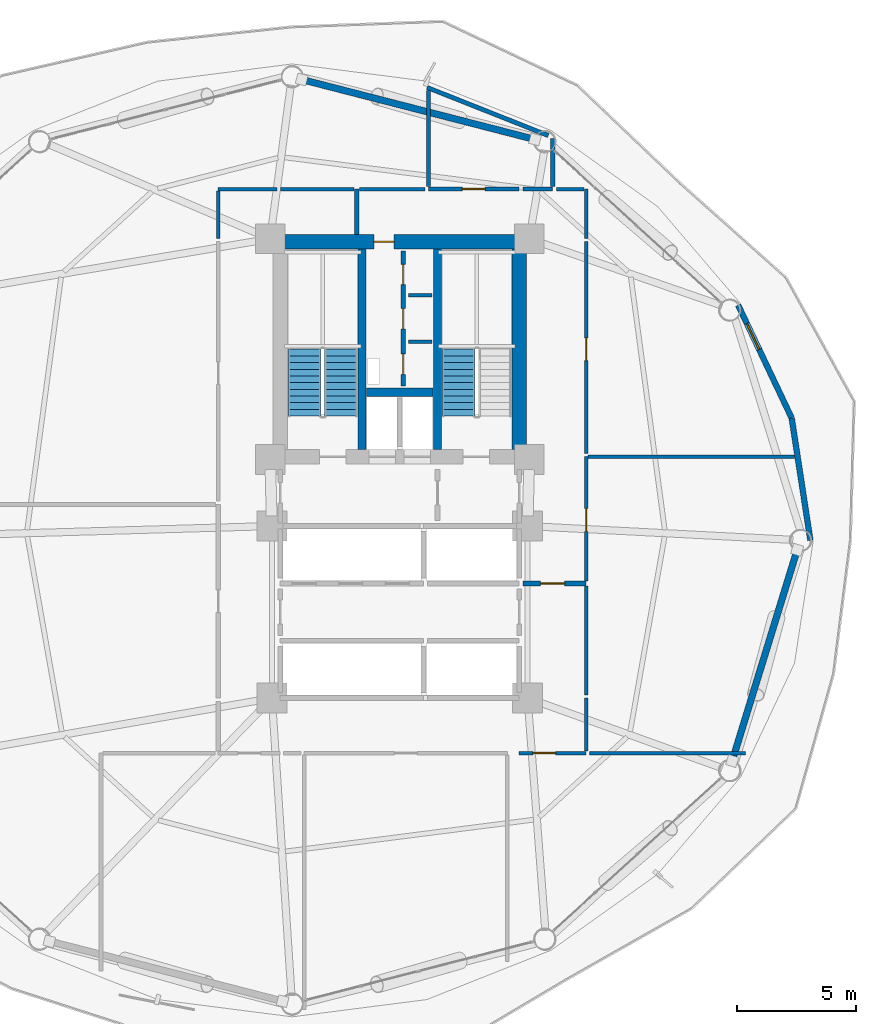
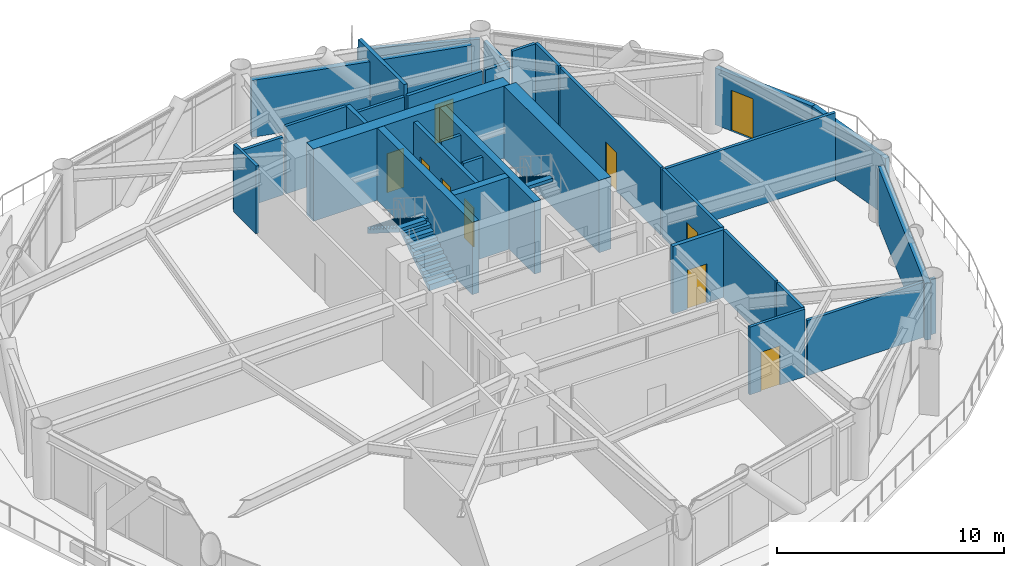
# One storey, part 21 of 25: 32 walls, 10 doors, 3 stair flights, 10 openings, 2 elements without a shape of their own.
"""IFC4 building model written with IfcOpenShell, lengths in metres."""

from ifc_helpers import new_model, si_unit, direction, frame, frame_2d, origin, place, context, subcontext, project, spatial, polyline, rectangle, outline, extrude, material, layer, layer_set, type_object, element, fill, aggregate, save


model = new_model("IFC4")

# Units and contexts
model_context = context("Model", 3, precision=1e-05, world=origin(), true_north=direction((0.0, 1.0)))
body_context = subcontext(model_context, "Body", "Model", "MODEL_VIEW")
ifc_project = project(units=[si_unit("LENGTHUNIT", "METRE"), si_unit("AREAUNIT", "SQUARE_METRE"), si_unit("VOLUMEUNIT", "CUBIC_METRE"), si_unit("PLANEANGLEUNIT", "RADIAN"), si_unit("MASSUNIT", "GRAM", prefix="KILO")], contexts=[model_context])

# Site, building, storey
site_placement = place(None, origin())
site = spatial("IfcSite", under=ifc_project, at=site_placement, CompositionType="ELEMENT")
building_placement = place(site_placement, origin())
building = spatial("IfcBuilding", under=site, at=building_placement, Name="Varnakorn Sky Granary", CompositionType="ELEMENT")
storey_placement = place(building_placement, frame((0.0, 0.0, 54.89990234375)))
storey = spatial("IfcBuildingStorey", under=building, at=storey_placement, Name="L13", CompositionType="ELEMENT", Elevation=54.89990234375)

# Walls
ifc_material_1 = material(Name="Concrete C50/60", Category="concrete")
ifc_layer_1 = layer(ifc_material_1, 0.35009765625, Name="Concrete C50/60")
ifc_layer_set_1 = layer_set([ifc_layer_1], Name="Concrete C50/60")
wall_type_1 = type_object("IfcWallType", Name="WT-CW-INT-350", PredefinedType="SHEAR", material=ifc_layer_set_1)
for number, where, z_axis, x_axis, name in (
    (1, (1.419921875, 3.81005859375, 0.0), (0.0, 0.0, 1.0), (0.0, 1.0, 0.0), "Stair ST-1 Core Wall L13"),
    (2, (4.580078125, 3.81005859375, 0.0), (0.0, 0.0, 1.0), (0.0, 1.0, 0.0), "Stair ST-2 Core Wall L13"),
):
    element("IfcWall", number, at=place(storey_placement, frame(where, z_axis=z_axis, x_axis=x_axis)), inside=storey, type_object=wall_type_1, Name=name, PredefinedType="SHEAR", context=body_context, shape_type="SweptSolid", body=[
        extrude(rectangle(XDim=8.3798828125, YDim=0.35009765625, at=frame_2d((4.18994140625, 0.0))), origin(), (0.0, 0.0, 1.0), 3.89208984375),
    ])
wall_1_placement = place(storey_placement, frame((1.610107421875, 6.199951171875, 0.0), z_axis=(0.0, 0.0, 1.0), x_axis=(1.0, 0.0, 0.0)))
element("IfcWall", 3, at=wall_1_placement, inside=storey, type_object=wall_type_1, Name="Core Lift Shaft Cross Wall L13", PredefinedType="SHEAR", context=body_context, shape_type="SweptSolid", body=[
    extrude(rectangle(XDim=2.77978515625, YDim=0.35009765625, at=frame_2d((1.389892578125, 0.0))), origin(), (0.0, 0.0, 1.0), 3.89208984375),
])

# Wall, opening, door
ifc_material_2 = material(Name="Concrete C60/75", Category="concrete")
ifc_layer_2 = layer(ifc_material_2, 0.60009765625, Name="Concrete C60/75")
ifc_layer_set_2 = layer_set([ifc_layer_2], Name="Concrete C60/75")
wall_type_2 = type_object("IfcWallType", Name="WT-CW-SHEAR-600", PredefinedType="SHEAR", material=ifc_layer_set_2)
wall_2_placement = place(storey_placement, frame((-2.0, 12.5, 0.0), z_axis=(0.0, 0.0, 1.0), x_axis=(1.0, 0.0, 0.0)))
wall_2 = element("IfcWall", 4, at=wall_2_placement, inside=storey, type_object=wall_type_2, Name="Core North Shear Wall L13", PredefinedType="SHEAR", context=body_context, shape_type="SweptSolid", body=[
    extrude(rectangle(XDim=10.0, YDim=0.60009765625, at=frame_2d((5.0, 0.0))), origin(), (0.0, 0.0, 1.0), 3.89208984375),
])
opening_1_placement = place(wall_2_placement, frame((3.919921875, 0.0, 0.0)))
opening_1 = element("IfcOpeningElement", 5, at=opening_1_placement, cuts=wall_2, Name="Opening FD-60N", PredefinedType="OPENING", context=body_context, shape_type="SweptSolid", body=[
    extrude(rectangle(XDim=0.85009765625, YDim=2.10009765625, at=frame_2d((0.425048828125, 1.050048828125))), frame((0.0, 0.31005859375, 0.0), z_axis=(0.0, -1.0, 0.0), x_axis=(1.0, 0.0, 0.0)), (0.0, 0.0, 1.0), 0.6201171875),
])
ifc_material_3 = material(Name="Acoustic Timber Fire Leaf", Category="wood")
door_type_1 = type_object("IfcDoorType", Name="DR-FD60-850", OperationType="NOTDEFINED", PredefinedType="DOOR", material=ifc_material_3)
door_1_placement = place(opening_1_placement, origin())
door_1 = element("IfcDoor", 6, at=door_1_placement, inside=storey, type_object=door_type_1, Name="Core North Service Door L13", OperationType="SINGLE_SWING_LEFT", OverallHeight=2.10009765625, OverallWidth=0.85009765625, PredefinedType="DOOR", context=body_context, shape_type="SweptSolid", body=[
    extrude(rectangle(XDim=0.85009765625, YDim=2.10009765625, at=frame_2d((0.425048828125, 1.050048828125))), frame((0.0, 0.02490234375, 0.0), z_axis=(0.0, -1.0, 0.0), x_axis=(1.0, 0.0, 0.0)), (0.0, 0.0, 1.0), 0.050048828125),
])
fill(opening_1, door_1)

# Walls
wall_3_placement = place(storey_placement, frame((8.0, 3.81005859375, 0.0), z_axis=(0.0, 0.0, 1.0), x_axis=(0.0, 1.0, 0.0)))
element("IfcWall", 7, at=wall_3_placement, inside=storey, type_object=wall_type_2, Name="Core East Shear Wall L13", PredefinedType="SHEAR", context=body_context, shape_type="SweptSolid", body=[
    extrude(rectangle(XDim=8.3798828125, YDim=0.60009765625, at=frame_2d((4.18994140625, 0.0))), origin(), (0.0, 0.0, 1.0), 3.89208984375),
])
ifc_material_4 = material(Name="Precast concrete C40/50", Category="concrete")
ifc_layer_3 = layer(ifc_material_4, 0.239990234375, Name="Precast concrete C40/50")
ifc_layer_set_3 = layer_set([ifc_layer_3], Name="Precast concrete C40/50")
wall_type_3 = type_object("IfcWallType", Name="WT-EW-BAL-260", PredefinedType="SOLIDWALL", material=ifc_layer_set_3)
wall_4_placement = place(storey_placement, frame((19.401611328125, 5.117431640625, 0.0), z_axis=(0.0, 0.0, 1.0), x_axis=(0.151146367865, -0.988511393703, 0.0)))
element("IfcWall", 8, at=wall_4_placement, inside=storey, type_object=wall_type_3, Name="Balcony Threshold Facade Wall L13-B01A", PredefinedType="SOLIDWALL", context=body_context, shape_type="SweptSolid", body=[
    extrude(rectangle(XDim=5.177001953125, YDim=0.239990234375, at=frame_2d((2.58837890625, 0.0))), origin(), (0.0, 0.0, 1.0), 3.06005859375),
])

# Wall, opening, door
wall_5_placement = place(storey_placement, frame((17.162109375, 9.841064453125, 0.0), z_axis=(0.0, 0.0, 1.0), x_axis=(0.428397489961, -0.903590388724, 0.0)))
wall_5 = element("IfcWall", 9, at=wall_5_placement, inside=storey, type_object=wall_type_3, Name="Balcony Return Facade Wall L13-B01B", PredefinedType="SOLIDWALL", context=body_context, shape_type="SweptSolid", body=[
    extrude(rectangle(XDim=5.2275390625, YDim=0.239990234375, at=frame_2d((2.61376953125, 0.0))), origin(), (0.0, 0.0, 1.0), 3.06005859375),
])
opening_2_placement = place(wall_5_placement, frame((0.85009765625, 0.0, 0.0)))
opening_2 = element("IfcOpeningElement", 10, at=opening_2_placement, cuts=wall_5, Name="Opening BD-01", PredefinedType="OPENING", context=body_context, shape_type="SweptSolid", body=[
    extrude(rectangle(XDim=1.199951171875, YDim=2.199951171875, at=frame_2d((0.60009765625, 1.10009765625))), frame((0.0, 0.1298828125, 0.0), z_axis=(0.0, -1.0, 0.0), x_axis=(1.0, 0.0, 0.0)), (0.0, 0.0, 1.0), 0.260009765625),
])
ifc_material_5 = material(Name="Anodised Bronze Aluminium Alloy 6063-T6", Category="aluminium")
door_type_2 = type_object("IfcDoorType", Name="DR-BAL-1200", OperationType="NOTDEFINED", PredefinedType="DOOR", material=ifc_material_5)
door_2_placement = place(opening_2_placement, origin())
door_2 = element("IfcDoor", 11, at=door_2_placement, inside=storey, type_object=door_type_2, Name="Sky-Farm Balcony Access Door L13", OperationType="SINGLE_SWING_LEFT", OverallHeight=2.199951171875, OverallWidth=1.199951171875, PredefinedType="DOOR", context=body_context, shape_type="SweptSolid", body=[
    extrude(rectangle(XDim=1.199951171875, YDim=2.199951171875, at=frame_2d((0.60009765625, 1.10009765625))), frame((0.0, 0.02490234375, 0.0), z_axis=(0.0, -1.0, 0.0), x_axis=(1.0, 0.0, 0.0)), (0.0, 0.0, 1.0), 0.050048828125),
])
fill(opening_2, door_2)

# Walls
ifc_layer_4 = layer(ifc_material_4, 0.280029296875, Name="Precast concrete C40/50")
ifc_layer_set_4 = layer_set([ifc_layer_4], Name="Precast concrete C40/50")
wall_type_4 = type_object("IfcWallType", Name="WT-EW-CRN-280", PredefinedType="SOLIDWALL", material=ifc_layer_set_4)
wall_6_placement = place(storey_placement, frame((-1.10107421875, 19.284423828125, 0.0), z_axis=(0.0, 0.0, 1.0), x_axis=(0.968518300778, -0.248942364932, 0.0)))
element("IfcWall", 12, at=wall_6_placement, inside=storey, type_object=wall_type_4, Name="Agritech Insulated Precast Facade Wall L13-P03", PredefinedType="SOLIDWALL", context=body_context, shape_type="SweptSolid", body=[
    extrude(rectangle(XDim=10.078857421875, YDim=0.280029296875, at=frame_2d((5.03955078125, 0.0))), origin(), (0.0, 0.0, 1.0), 3.06005859375),
])
wall_7_placement = place(storey_placement, frame((19.6328125, -0.393798828125, 0.0), z_axis=(0.0, 0.0, 1.0), x_axis=(-0.294325145178, -0.955705346284, 0.0)))
element("IfcWall", 13, at=wall_7_placement, inside=storey, type_object=wall_type_4, Name="Agritech Insulated Precast Facade Wall L13-P12", PredefinedType="SOLIDWALL", context=body_context, shape_type="SweptSolid", body=[
    extrude(rectangle(XDim=9.248046875, YDim=0.280029296875, at=frame_2d((4.6240234375, 0.0))), origin(), (0.0, 0.0, 1.0), 3.06005859375),
])

# Wall, openings, doors
ifc_material_6 = material(Name="Autoclaved Aerated Concrete Blockwork", Category="masonry")
ifc_layer_5 = layer(ifc_material_6, 0.199951171875, Name="Autoclaved Aerated Concrete Blockwork")
ifc_layer_set_5 = layer_set([ifc_layer_5], Name="Autoclaved Aerated Concrete Blockwork")
wall_type_5 = type_object("IfcWallType", Name="WT-FIRE-200", PredefinedType="MOVABLE", material=ifc_layer_set_5)
wall_8_placement = place(storey_placement, frame((3.14990234375, 6.449951171875, 0.0), z_axis=(0.0, 0.0, 1.0), x_axis=(0.0, 1.0, 0.0)))
wall_8 = element("IfcWall", 14, at=wall_8_placement, inside=storey, type_object=wall_type_5, Name="Interior Partition Wall L13-015", PredefinedType="MOVABLE", context=body_context, shape_type="SweptSolid", body=[
    extrude(rectangle(XDim=5.650146484375, YDim=0.199951171875, at=frame_2d((2.8251953125, 0.0))), origin(), (0.0, 0.0, 1.0), 3.64013671875),
])
opening_3_placement = place(wall_8_placement, frame((0.5, 0.0, 0.0)))
opening_3 = element("IfcOpeningElement", 15, at=opening_3_placement, cuts=wall_8, Name="Opening FD-60N", PredefinedType="OPENING", context=body_context, shape_type="SweptSolid", body=[
    extrude(rectangle(XDim=0.85009765625, YDim=2.10009765625, at=frame_2d((0.425048828125, 1.050048828125))), frame((0.0, 0.10986328125, 0.0), z_axis=(0.0, -1.0, 0.0), x_axis=(1.0, 0.0, 0.0)), (0.0, 0.0, 1.0), 0.219970703125),
])
opening_4_placement = place(wall_8_placement, frame((2.39990234375, 0.0, 0.0)))
opening_4 = element("IfcOpeningElement", 16, at=opening_4_placement, cuts=wall_8, Name="Opening FD-60N", PredefinedType="OPENING", context=body_context, shape_type="SweptSolid", body=[
    extrude(rectangle(XDim=0.85009765625, YDim=2.10009765625, at=frame_2d((0.425048828125, 1.050048828125))), frame((0.0, 0.10986328125, 0.0), z_axis=(0.0, -1.0, 0.0), x_axis=(1.0, 0.0, 0.0)), (0.0, 0.0, 1.0), 0.219970703125),
])
opening_5_placement = place(wall_8_placement, frame((4.25, 0.0, 0.0)))
opening_5 = element("IfcOpeningElement", 17, at=opening_5_placement, cuts=wall_8, Name="Opening FD-60N", PredefinedType="OPENING", context=body_context, shape_type="SweptSolid", body=[
    extrude(rectangle(XDim=0.85009765625, YDim=2.10009765625, at=frame_2d((0.425048828125, 1.050048828125))), frame((0.0, 0.10986328125, 0.0), z_axis=(0.0, -1.0, 0.0), x_axis=(1.0, 0.0, 0.0)), (0.0, 0.0, 1.0), 0.219970703125),
])
door_3_placement = place(opening_3_placement, origin())
door_3 = element("IfcDoor", 18, at=door_3_placement, inside=storey, type_object=door_type_1, Name="Interior Door L13-015-1", OperationType="SINGLE_SWING_RIGHT", OverallHeight=2.10009765625, OverallWidth=0.85009765625, PredefinedType="DOOR", context=body_context, shape_type="SweptSolid", body=[
    extrude(rectangle(XDim=0.85009765625, YDim=2.10009765625, at=frame_2d((0.425048828125, 1.050048828125))), frame((0.0, 0.02490234375, 0.0), z_axis=(0.0, -1.0, 0.0), x_axis=(1.0, 0.0, 0.0)), (0.0, 0.0, 1.0), 0.050048828125),
])
fill(opening_3, door_3)
door_4_placement = place(opening_4_placement, origin())
door_4 = element("IfcDoor", 19, at=door_4_placement, inside=storey, type_object=door_type_1, Name="Interior Door L13-015-2", OperationType="SINGLE_SWING_LEFT", OverallHeight=2.10009765625, OverallWidth=0.85009765625, PredefinedType="DOOR", context=body_context, shape_type="SweptSolid", body=[
    extrude(rectangle(XDim=0.85009765625, YDim=2.10009765625, at=frame_2d((0.425048828125, 1.050048828125))), frame((0.0, 0.02490234375, 0.0), z_axis=(0.0, -1.0, 0.0), x_axis=(1.0, 0.0, 0.0)), (0.0, 0.0, 1.0), 0.050048828125),
])
fill(opening_4, door_4)
door_5_placement = place(opening_5_placement, origin())
door_5 = element("IfcDoor", 20, at=door_5_placement, inside=storey, type_object=door_type_1, Name="Interior Door L13-015-3", OperationType="SINGLE_SWING_RIGHT", OverallHeight=2.10009765625, OverallWidth=0.85009765625, PredefinedType="DOOR", context=body_context, shape_type="SweptSolid", body=[
    extrude(rectangle(XDim=0.85009765625, YDim=2.10009765625, at=frame_2d((0.425048828125, 1.050048828125))), frame((0.0, 0.02490234375, 0.0), z_axis=(0.0, -1.0, 0.0), x_axis=(1.0, 0.0, 0.0)), (0.0, 0.0, 1.0), 0.050048828125),
])
fill(opening_5, door_5)

# Wall, opening, door
wall_9_placement = place(storey_placement, frame((8.159912109375, -1.800048828125, 0.0), z_axis=(0.0, 0.0, 1.0), x_axis=(1.0, 0.0, 0.0)))
wall_9 = element("IfcWall", 21, at=wall_9_placement, inside=storey, type_object=wall_type_5, Name="Interior Partition Wall L13-021", PredefinedType="MOVABLE", context=body_context, shape_type="SweptSolid", body=[
    extrude(rectangle(XDim=2.64013671875, YDim=0.199951171875, at=frame_2d((1.320068359375, 0.0))), origin(), (0.0, 0.0, 1.0), 3.64013671875),
])
opening_6_placement = place(wall_9_placement, frame((0.739990234375, 0.0, 0.0)))
opening_6 = element("IfcOpeningElement", 22, at=opening_6_placement, cuts=wall_9, Name="Opening FD-60", PredefinedType="OPENING", context=body_context, shape_type="SweptSolid", body=[
    extrude(rectangle(XDim=1.0, YDim=2.10009765625, at=frame_2d((0.5, 1.050048828125))), frame((0.0, 0.10986328125, 0.0), z_axis=(0.0, -1.0, 0.0), x_axis=(1.0, 0.0, 0.0)), (0.0, 0.0, 1.0), 0.219970703125),
])
door_type_3 = type_object("IfcDoorType", Name="DR-FD60-1000", OperationType="NOTDEFINED", PredefinedType="DOOR", material=ifc_material_3)
door_6_placement = place(opening_6_placement, origin())
door_6 = element("IfcDoor", 23, at=door_6_placement, inside=storey, type_object=door_type_3, Name="Interior Door L13-021-1", OperationType="SINGLE_SWING_RIGHT", OverallHeight=2.10009765625, OverallWidth=1.0, PredefinedType="DOOR", context=body_context, shape_type="SweptSolid", body=[
    extrude(rectangle(XDim=1.0, YDim=2.10009765625, at=frame_2d((0.5, 1.050048828125))), frame((0.0, 0.02490234375, 0.0), z_axis=(0.0, -1.0, 0.0), x_axis=(1.0, 0.0, 0.0)), (0.0, 0.0, 1.0), 0.050048828125),
])
fill(opening_6, door_6)

# Wall
wall_10_placement = place(storey_placement, frame((1.199951171875, 14.699951171875, 0.0), z_axis=(0.0, 0.0, 1.0), x_axis=(0.0, -1.0, 0.0)))
element("IfcWall", 24, at=wall_10_placement, inside=storey, type_object=wall_type_5, Name="Interior Partition Wall L13-033", PredefinedType="MOVABLE", context=body_context, shape_type="SweptSolid", body=[
    extrude(rectangle(XDim=1.889892578125, YDim=0.199951171875, at=frame_2d((0.94482421875, 0.0))), origin(), (0.0, 0.0, 1.0), 3.64013671875),
])

# Wall, opening, door
ifc_material_7 = material(Name="Gypsum Plasterboard on Steel Stud", Category="steel")
ifc_layer_6 = layer(ifc_material_7, 0.14990234375, Name="Gypsum Plasterboard on Steel Stud")
ifc_layer_set_6 = layer_set([ifc_layer_6], Name="Gypsum Plasterboard on Steel Stud")
wall_type_6 = type_object("IfcWallType", Name="WT-PART-150", PredefinedType="PARTITIONING", material=ifc_layer_set_6)
wall_11_placement = place(storey_placement, frame((8.0, -8.89990234375, 0.0), z_axis=(0.0, 0.0, 1.0), x_axis=(1.0, 0.0, 0.0)))
wall_11 = element("IfcWall", 25, at=wall_11_placement, inside=storey, type_object=wall_type_6, Name="Interior Partition Wall L13-025", PredefinedType="PARTITIONING", context=body_context, shape_type="SweptSolid", body=[
    extrude(rectangle(XDim=2.800048828125, YDim=0.14990234375, at=frame_2d((1.39990234375, 0.0))), origin(), (0.0, 0.0, 1.0), 3.64013671875),
])
opening_7_placement = place(wall_11_placement, frame((0.574951171875, 0.0, 0.0)))
opening_7 = element("IfcOpeningElement", 26, at=opening_7_placement, cuts=wall_11, Name="Opening ID-95", PredefinedType="OPENING", context=body_context, shape_type="SweptSolid", body=[
    extrude(rectangle(XDim=0.949951171875, YDim=2.10009765625, at=frame_2d((0.47509765625, 1.050048828125))), frame((0.0, 0.0849609375, 0.0), z_axis=(0.0, -1.0, 0.0), x_axis=(1.0, 0.0, 0.0)), (0.0, 0.0, 1.0), 0.169921875),
])
ifc_material_8 = material(Name="Solid-Core Teak Veneer Leaf", Category="timber")
door_type_4 = type_object("IfcDoorType", Name="DR-INT-950", OperationType="NOTDEFINED", PredefinedType="DOOR", material=ifc_material_8)
door_7_placement = place(opening_7_placement, origin())
door_7 = element("IfcDoor", 27, at=door_7_placement, inside=storey, type_object=door_type_4, Name="Interior Door L13-025-1", OperationType="SINGLE_SWING_RIGHT", OverallHeight=2.10009765625, OverallWidth=0.949951171875, PredefinedType="DOOR", context=body_context, shape_type="SweptSolid", body=[
    extrude(rectangle(XDim=0.949951171875, YDim=2.10009765625, at=frame_2d((0.47509765625, 1.050048828125))), frame((0.0, 0.02490234375, 0.0), z_axis=(0.0, -1.0, 0.0), x_axis=(1.0, 0.0, 0.0)), (0.0, 0.0, 1.0), 0.050048828125),
])
fill(opening_7, door_7)

wall_12_placement = place(storey_placement, frame((10.800048828125, -1.68994140625, 0.0), z_axis=(0.0, 0.0, 1.0), x_axis=(0.0, 1.0, 0.0)))
wall_12 = element("IfcWall", 28, at=wall_12_placement, inside=storey, type_object=wall_type_6, Name="Interior Partition Wall L13-028", PredefinedType="PARTITIONING", context=body_context, shape_type="SweptSolid", body=[
    extrude(rectangle(XDim=5.18994140625, YDim=0.14990234375, at=frame_2d((2.594970703125, 0.0))), origin(), (0.0, 0.0, 1.0), 3.64013671875),
])
opening_8_placement = place(wall_12_placement, frame((2.06494140625, 0.0, 0.0)))
opening_8 = element("IfcOpeningElement", 29, at=opening_8_placement, cuts=wall_12, Name="Opening ID-95", PredefinedType="OPENING", context=body_context, shape_type="SweptSolid", body=[
    extrude(rectangle(XDim=0.949951171875, YDim=2.10009765625, at=frame_2d((0.47509765625, 1.050048828125))), frame((0.0, 0.0849609375, 0.0), z_axis=(0.0, -1.0, 0.0), x_axis=(1.0, 0.0, 0.0)), (0.0, 0.0, 1.0), 0.169921875),
])
door_8_placement = place(opening_8_placement, origin())
door_8 = element("IfcDoor", 30, at=door_8_placement, inside=storey, type_object=door_type_4, Name="Interior Door L13-028-1", OperationType="SINGLE_SWING_LEFT", OverallHeight=2.10009765625, OverallWidth=0.949951171875, PredefinedType="DOOR", context=body_context, shape_type="SweptSolid", body=[
    extrude(rectangle(XDim=0.949951171875, YDim=2.10009765625, at=frame_2d((0.47509765625, 1.050048828125))), frame((0.0, 0.02490234375, 0.0), z_axis=(0.0, -1.0, 0.0), x_axis=(1.0, 0.0, 0.0)), (0.0, 0.0, 1.0), 0.050048828125),
])
fill(opening_8, door_8)

wall_13_placement = place(storey_placement, frame((10.800048828125, 3.635009765625, 0.0), z_axis=(0.0, 0.0, 1.0), x_axis=(0.0, 1.0, 0.0)))
wall_13 = element("IfcWall", 31, at=wall_13_placement, inside=storey, type_object=wall_type_6, Name="Interior Partition Wall L13-029", PredefinedType="PARTITIONING", context=body_context, shape_type="SweptSolid", body=[
    extrude(rectangle(XDim=8.864990234375, YDim=0.14990234375, at=frame_2d((4.4326171875, 0.0))), origin(), (0.0, 0.0, 1.0), 3.64013671875),
])
opening_9_placement = place(wall_13_placement, frame((3.889892578125, 0.0, 0.0)))
opening_9 = element("IfcOpeningElement", 32, at=opening_9_placement, cuts=wall_13, Name="Opening ID-95", PredefinedType="OPENING", context=body_context, shape_type="SweptSolid", body=[
    extrude(rectangle(XDim=0.949951171875, YDim=2.10009765625, at=frame_2d((0.47509765625, 1.050048828125))), frame((0.0, 0.0849609375, 0.0), z_axis=(0.0, -1.0, 0.0), x_axis=(1.0, 0.0, 0.0)), (0.0, 0.0, 1.0), 0.169921875),
])
door_9_placement = place(opening_9_placement, origin())
door_9 = element("IfcDoor", 33, at=door_9_placement, inside=storey, type_object=door_type_4, Name="Interior Door L13-029-1", OperationType="SINGLE_SWING_RIGHT", OverallHeight=2.10009765625, OverallWidth=0.949951171875, PredefinedType="DOOR", context=body_context, shape_type="SweptSolid", body=[
    extrude(rectangle(XDim=0.949951171875, YDim=2.10009765625, at=frame_2d((0.47509765625, 1.050048828125))), frame((0.0, 0.02490234375, 0.0), z_axis=(0.0, -1.0, 0.0), x_axis=(1.0, 0.0, 0.0)), (0.0, 0.0, 1.0), 0.050048828125),
])
fill(opening_9, door_9)

# Walls
for number, where, z_axis, x_axis, name in (
    (34, (3.3701171875, 8.320068359375, 0.0), (0.0, 0.0, 1.0), (1.0, 0.0, 0.0), "Interior Partition Wall L13-030"),
    (35, (3.3701171875, 10.260009765625, 0.0), (0.0, 0.0, 1.0), (1.0, 0.0, 0.0), "Interior Partition Wall L13-031"),
):
    element("IfcWall", number, at=place(storey_placement, frame(where, z_axis=z_axis, x_axis=x_axis)), inside=storey, type_object=wall_type_6, Name=name, PredefinedType="PARTITIONING", context=body_context, shape_type="SweptSolid", body=[
        extrude(rectangle(XDim=0.97998046875, YDim=0.14990234375, at=frame_2d((0.489990234375, 0.0))), origin(), (0.0, 0.0, 1.0), 3.64013671875),
    ])
wall_14_placement = place(storey_placement, frame((10.93505859375, -8.89990234375, 0.0), z_axis=(0.0, 0.0, 1.0), x_axis=(1.0, 0.0, 0.0)))
element("IfcWall", 36, at=wall_14_placement, inside=storey, type_object=wall_type_6, Name="Interior Partition Wall L13-040", PredefinedType="PARTITIONING", context=body_context, shape_type="SweptSolid", body=[
    extrude(rectangle(XDim=6.541015625, YDim=0.14990234375, at=frame_2d((3.2705078125, 0.0))), origin(), (0.0, 0.0, 1.0), 2.97216796875),
])
wall_15_placement = place(storey_placement, frame((1.090087890625, 14.699951171875, 0.0), z_axis=(0.0, 0.0, 1.0), x_axis=(-1.0, 0.0, 0.0)))
element("IfcWall", 37, at=wall_15_placement, inside=storey, type_object=wall_type_6, Name="Interior Partition Wall L13-043", PredefinedType="PARTITIONING", context=body_context, shape_type="SweptSolid", body=[
    extrude(rectangle(XDim=3.090087890625, YDim=0.14990234375, at=frame_2d((1.544921875, 0.0))), origin(), (0.0, 0.0, 1.0), 3.64013671875),
])
wall_16_placement = place(storey_placement, frame((-2.135009765625, 14.699951171875, 0.0), z_axis=(0.0, 0.0, 1.0), x_axis=(-1.0, 0.0, 0.0)))
element("IfcWall", 38, at=wall_16_placement, inside=storey, type_object=wall_type_6, Name="Interior Partition Wall L13-044", PredefinedType="PARTITIONING", context=body_context, shape_type="SweptSolid", body=[
    extrude(rectangle(XDim=2.465087890625, YDim=0.14990234375, at=frame_2d((1.232421875, 0.0))), origin(), (0.0, 0.0, 1.0), 3.1220703125),
])
wall_17_placement = place(storey_placement, frame((-4.60009765625, 14.614990234375, 0.0), z_axis=(0.0, 0.0, 1.0), x_axis=(0.0, -1.0, 0.0)))
element("IfcWall", 39, at=wall_17_placement, inside=storey, type_object=wall_type_6, Name="Interior Partition Wall L13-045", PredefinedType="PARTITIONING", context=body_context, shape_type="SweptSolid", body=[
    extrude(rectangle(XDim=1.97998046875, YDim=0.14990234375, at=frame_2d((0.989990234375, 0.0))), origin(), (0.0, 0.0, 1.0), 3.64013671875),
])
wall_18_placement = place(storey_placement, frame((4.050048828125, 14.699951171875, 0.0), z_axis=(0.0, 0.0, 1.0), x_axis=(-1.0, 0.0, 0.0)))
element("IfcWall", 40, at=wall_18_placement, inside=storey, type_object=wall_type_6, Name="Interior Partition Wall L13-046", PredefinedType="PARTITIONING", context=body_context, shape_type="SweptSolid", body=[
    extrude(rectangle(XDim=2.739990234375, YDim=0.14990234375, at=frame_2d((1.3701171875, 0.0))), origin(), (0.0, 0.0, 1.0), 3.1220703125),
])
wall_19_placement = place(storey_placement, frame((10.800048828125, -8.81494140625, 0.0), z_axis=(0.0, 0.0, 1.0), x_axis=(0.0, 1.0, 0.0)))
element("IfcWall", 41, at=wall_19_placement, inside=storey, type_object=wall_type_6, Name="Interior Partition Wall L13-049", PredefinedType="PARTITIONING", context=body_context, shape_type="SweptSolid", body=[
    extrude(rectangle(XDim=2.21484375, YDim=0.14990234375, at=frame_2d((1.107421875, 0.0))), origin(), (0.0, 0.0, 1.0), 3.64013671875),
])
wall_20_placement = place(storey_placement, frame((10.800048828125, -6.465087890625, 0.0), z_axis=(0.0, 0.0, 1.0), x_axis=(0.0, 1.0, 0.0)))
element("IfcWall", 42, at=wall_20_placement, inside=storey, type_object=wall_type_6, Name="Interior Partition Wall L13-050", PredefinedType="PARTITIONING", context=body_context, shape_type="SweptSolid", body=[
    extrude(rectangle(XDim=4.55517578125, YDim=0.14990234375, at=frame_2d((2.277587890625, 0.0))), origin(), (0.0, 0.0, 1.0), 3.64013671875),
])
wall_21_placement = place(storey_placement, frame((10.885009765625, 3.5, 0.0), z_axis=(0.0, 0.0, 1.0), x_axis=(1.0, 0.0, 0.0)))
element("IfcWall", 43, at=wall_21_placement, inside=storey, type_object=wall_type_6, Name="Interior Partition Wall L13-051", PredefinedType="PARTITIONING", context=body_context, shape_type="SweptSolid", body=[
    extrude(rectangle(XDim=8.64404296875, YDim=0.14990234375, at=frame_2d((4.322021484375, 0.0))), origin(), (0.0, 0.0, 1.0), 3.64013671875),
])
wall_22_placement = place(storey_placement, frame((10.800048828125, 12.635009765625, 0.0), z_axis=(0.0, 0.0, 1.0), x_axis=(0.0, 1.0, 0.0)))
element("IfcWall", 44, at=wall_22_placement, inside=storey, type_object=wall_type_6, Name="Interior Partition Wall L13-052", PredefinedType="PARTITIONING", context=body_context, shape_type="SweptSolid", body=[
    extrude(rectangle(XDim=2.06494140625, YDim=0.14990234375, at=frame_2d((1.032470703125, 0.0))), origin(), (0.0, 0.0, 1.0), 3.64013671875),
])
wall_23_placement = place(storey_placement, frame((10.715087890625, 14.699951171875, 0.0), z_axis=(0.0, 0.0, 1.0), x_axis=(-1.0, 0.0, 0.0)))
element("IfcWall", 45, at=wall_23_placement, inside=storey, type_object=wall_type_6, Name="Interior Partition Wall L13-053", PredefinedType="PARTITIONING", context=body_context, shape_type="SweptSolid", body=[
    extrude(rectangle(XDim=1.1650390625, YDim=0.14990234375, at=frame_2d((0.58251953125, 0.0))), origin(), (0.0, 0.0, 1.0), 3.64013671875),
])

# Wall, opening, door
ifc_material_9 = material(Name="Moisture-Resistant Gypsum on Stud", Category="gypsum")
ifc_layer_7 = layer(ifc_material_9, 0.179931640625, Name="Moisture-Resistant Gypsum on Stud")
ifc_layer_set_7 = layer_set([ifc_layer_7], Name="Moisture-Resistant Gypsum on Stud")
wall_type_7 = type_object("IfcWallType", Name="WT-PLUMB-180", PredefinedType="PLUMBINGWALL", material=ifc_layer_set_7)
wall_24_placement = place(storey_placement, frame((8.0, 14.699951171875, 0.0), z_axis=(0.0, 0.0, 1.0), x_axis=(-1.0, 0.0, 0.0)))
wall_24 = element("IfcWall", 46, at=wall_24_placement, inside=storey, type_object=wall_type_7, Name="Interior Partition Wall L13-022", PredefinedType="PLUMBINGWALL", context=body_context, shape_type="SweptSolid", body=[
    extrude(rectangle(XDim=3.800048828125, YDim=0.179931640625, at=frame_2d((1.89990234375, 0.0))), origin(), (0.0, 0.0, 1.0), 3.1220703125),
])
opening_10_placement = place(wall_24_placement, frame((1.425048828125, 0.0, 0.0)))
opening_10 = element("IfcOpeningElement", 47, at=opening_10_placement, cuts=wall_24, Name="Opening ID-95", PredefinedType="OPENING", context=body_context, shape_type="SweptSolid", body=[
    extrude(rectangle(XDim=0.949951171875, YDim=2.10009765625, at=frame_2d((0.47509765625, 1.050048828125))), frame((0.0, 0.10009765625, 0.0), z_axis=(0.0, -1.0, 0.0), x_axis=(1.0, 0.0, 0.0)), (0.0, 0.0, 1.0), 0.199951171875),
])
door_10_placement = place(opening_10_placement, origin())
door_10 = element("IfcDoor", 48, at=door_10_placement, inside=storey, type_object=door_type_4, Name="Interior Door L13-022-1", OperationType="SINGLE_SWING_LEFT", OverallHeight=2.10009765625, OverallWidth=0.949951171875, PredefinedType="DOOR", context=body_context, shape_type="SweptSolid", body=[
    extrude(rectangle(XDim=0.949951171875, YDim=2.10009765625, at=frame_2d((0.47509765625, 1.050048828125))), frame((0.0, 0.02490234375, 0.0), z_axis=(0.0, -1.0, 0.0), x_axis=(1.0, 0.0, 0.0)), (0.0, 0.0, 1.0), 0.050048828125),
])
fill(opening_10, door_10)

# Walls
wall_25_placement = place(storey_placement, frame((9.39990234375, 14.699951171875, 0.0), z_axis=(0.0, 0.0, 1.0), x_axis=(-1.0, 0.0, 0.0)))
element("IfcWall", 49, at=wall_25_placement, inside=storey, type_object=wall_type_7, Name="Interior Partition Wall L13-034", PredefinedType="PLUMBINGWALL", context=body_context, shape_type="SweptSolid", body=[
    extrude(rectangle(XDim=1.25, YDim=0.179931640625, at=frame_2d((0.625, 0.0))), origin(), (0.0, 0.0, 1.0), 3.1220703125),
])
wall_26_placement = place(storey_placement, frame((4.14404296875, 18.952880859375, 0.0), z_axis=(0.0, 0.0, 1.0), x_axis=(0.929488762616, -0.368850430622, 0.0)))
element("IfcWall", 50, at=wall_26_placement, inside=storey, type_object=wall_type_7, Name="Interior Partition Wall L13-047", PredefinedType="PLUMBINGWALL", context=body_context, shape_type="SweptSolid", body=[
    extrude(rectangle(XDim=5.45458984375, YDim=0.179931640625, at=frame_2d((2.727294921875, 0.0))), origin(), (0.0, 0.0, 1.0), 3.072021484375),
])
wall_27_placement = place(storey_placement, frame((4.199951171875, 18.8310546875, 0.0), z_axis=(0.0, 0.0, 1.0), x_axis=(0.0, -1.0, 0.0)))
element("IfcWall", 51, at=wall_27_placement, inside=storey, type_object=wall_type_7, Name="Interior Partition Wall L13-048", PredefinedType="PLUMBINGWALL", context=body_context, shape_type="SweptSolid", body=[
    extrude(rectangle(XDim=4.031005859375, YDim=0.179931640625, at=frame_2d((2.015625, 0.0))), origin(), (0.0, 0.0, 1.0), 3.64013671875),
])
wall_28_placement = place(storey_placement, frame((9.39990234375, 14.800048828125, 0.0), z_axis=(0.0, 0.0, 1.0), x_axis=(0.0, 1.0, 0.0)))
element("IfcWall", 52, at=wall_28_placement, inside=storey, type_object=wall_type_7, Name="Interior Partition Wall L13-054", PredefinedType="PLUMBINGWALL", context=body_context, shape_type="SweptSolid", body=[
    extrude(rectangle(XDim=2.009033203125, YDim=0.179931640625, at=frame_2d((1.00439453125, 0.0))), origin(), (0.0, 0.0, 1.0), 2.97216796875),
])

# Stair, stair flights
ifc_material_10 = material(Name="Concrete C40/50", Category="concrete")
stair_type = type_object("IfcStairType", Name="ST-MAIN-ASSEMBLY", PredefinedType="HALF_TURN_STAIR", material=ifc_material_10)
stair_1_placement = place(storey_placement, origin())
stair_1 = element("IfcStair", 53, at=stair_1_placement, inside=storey, type_object=stair_type, Name="L13 Protected Exit Stair ST-1", PredefinedType="HALF_TURN_STAIR")
stair_flight_type = type_object("IfcStairFlightType", Name="ST-MAIN-FLIGHT", PredefinedType="STRAIGHT", material=ifc_material_10)
stair_flight_1_placement = place(storey_placement, frame((0.550048828125, 5.199951171875, 0.0), z_axis=(0.0, 0.0, 1.0), x_axis=(0.0, 1.0, 0.0)))
stair_flight_1 = element("IfcStairFlight", 54, at=stair_flight_1_placement, type_object=stair_flight_type, Name="ST-1 flight 1", NumberOfRisers=11, NumberOfTreads=10, PredefinedType="STRAIGHT", RiserHeight=0.177272727, TreadLength=0.28, context=body_context, shape_type="SweptSolid", body=[
    extrude(outline(polyline([(0.0, -0.14990234375), (0.0, 0.0), (0.0, 0.17724609375), (0.280029296875, 0.17724609375), (0.280029296875, 0.3544921875), (0.56005859375, 0.3544921875), (0.56005859375, 0.53173828125), (0.840087890625, 0.53173828125), (0.840087890625, 0.708984375), (1.1201171875, 0.708984375), (1.1201171875, 0.886474609375), (1.39990234375, 0.886474609375), (1.39990234375, 1.063720703125), (1.679931640625, 1.063720703125), (1.679931640625, 1.240966796875), (1.9599609375, 1.240966796875), (1.9599609375, 1.418212890625), (2.239990234375, 1.418212890625), (2.239990234375, 1.595458984375), (2.52001953125, 1.595458984375), (2.52001953125, 1.772705078125), (2.800048828125, 1.772705078125), (2.800048828125, 1.949951171875), (2.800048828125, 1.59521484375), (0.050048828125, -0.14990234375), (0.0, -0.14990234375)])), frame((0.0, 0.68994140625, 0.0), z_axis=(0.0, -1.0, 0.0), x_axis=(1.0, 0.0, 0.0)), (0.0, 0.0, 1.0), 1.3798828125),
])
stair_flight_2_placement = place(storey_placement, frame((-0.97998046875, 8.0, 1.9501953125), z_axis=(0.0, 0.0, 1.0), x_axis=(0.0, -1.0, 0.0)))
stair_flight_2 = element("IfcStairFlight", 55, at=stair_flight_2_placement, type_object=stair_flight_type, Name="ST-1 flight 2", NumberOfRisers=11, NumberOfTreads=10, PredefinedType="STRAIGHT", RiserHeight=0.177272727, TreadLength=0.28, context=body_context, shape_type="SweptSolid", body=[
    extrude(outline(polyline([(0.0, -0.14990234375), (0.0, 0.0), (0.0, 0.17724609375), (0.280029296875, 0.17724609375), (0.280029296875, 0.3544921875), (0.56005859375, 0.3544921875), (0.56005859375, 0.53173828125), (0.840087890625, 0.53173828125), (0.840087890625, 0.708984375), (1.1201171875, 0.708984375), (1.1201171875, 0.886474609375), (1.39990234375, 0.886474609375), (1.39990234375, 1.063720703125), (1.679931640625, 1.063720703125), (1.679931640625, 1.240966796875), (1.9599609375, 1.240966796875), (1.9599609375, 1.418212890625), (2.239990234375, 1.418212890625), (2.239990234375, 1.595458984375), (2.52001953125, 1.595458984375), (2.52001953125, 1.772705078125), (2.800048828125, 1.772705078125), (2.800048828125, 1.949951171875), (2.800048828125, 1.59521484375), (0.050048828125, -0.14990234375), (0.0, -0.14990234375)])), frame((0.0, 0.68994140625, 0.0), z_axis=(0.0, -1.0, 0.0), x_axis=(1.0, 0.0, 0.0)), (0.0, 0.0, 1.0), 1.3798828125),
])
aggregate(stair_1, [stair_flight_1, stair_flight_2])

# Stair, stair flight
stair_2_placement = place(storey_placement, origin())
stair_2 = element("IfcStair", 56, at=stair_2_placement, inside=storey, type_object=stair_type, Name="L13 Protected Exit Stair ST-2", PredefinedType="HALF_TURN_STAIR")
stair_flight_3_placement = place(storey_placement, frame((5.4599609375, 8.0, 1.9501953125), z_axis=(0.0, 0.0, 1.0), x_axis=(0.0, -1.0, 0.0)))
stair_flight_3 = element("IfcStairFlight", 57, at=stair_flight_3_placement, type_object=stair_flight_type, Name="ST-2 flight 2", NumberOfRisers=11, NumberOfTreads=10, PredefinedType="STRAIGHT", RiserHeight=0.177272727, TreadLength=0.28, context=body_context, shape_type="SweptSolid", body=[
    extrude(outline(polyline([(0.0, -0.14990234375), (0.0, 0.0), (0.0, 0.17724609375), (0.280029296875, 0.17724609375), (0.280029296875, 0.3544921875), (0.56005859375, 0.3544921875), (0.56005859375, 0.53173828125), (0.840087890625, 0.53173828125), (0.840087890625, 0.708984375), (1.1201171875, 0.708984375), (1.1201171875, 0.886474609375), (1.39990234375, 0.886474609375), (1.39990234375, 1.063720703125), (1.679931640625, 1.063720703125), (1.679931640625, 1.240966796875), (1.9599609375, 1.240966796875), (1.9599609375, 1.418212890625), (2.239990234375, 1.418212890625), (2.239990234375, 1.595458984375), (2.52001953125, 1.595458984375), (2.52001953125, 1.772705078125), (2.800048828125, 1.772705078125), (2.800048828125, 1.949951171875), (2.800048828125, 1.59521484375), (0.050048828125, -0.14990234375), (0.0, -0.14990234375)])), frame((0.0, 0.68994140625, 0.0), z_axis=(0.0, -1.0, 0.0), x_axis=(1.0, 0.0, 0.0)), (0.0, 0.0, 1.0), 1.3798828125),
])
aggregate(stair_2, [stair_flight_3])

save(model, "model.ifc")
